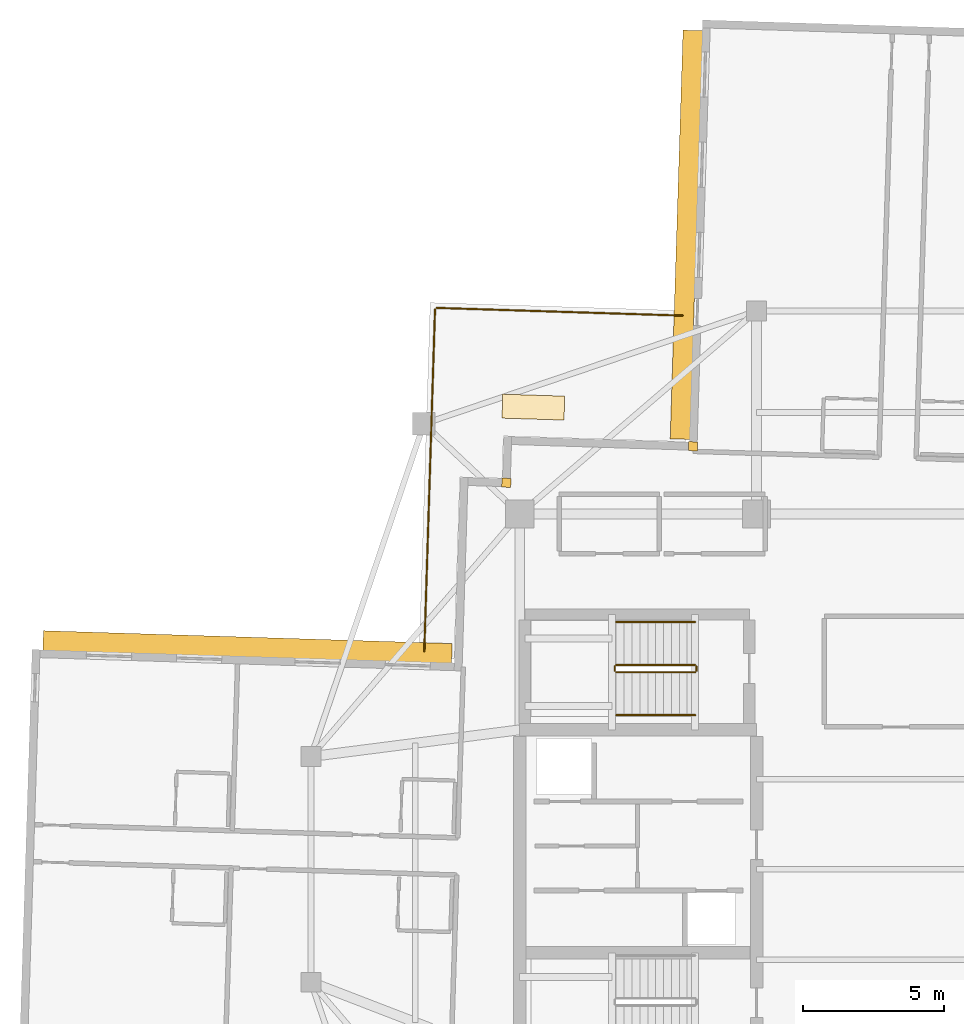
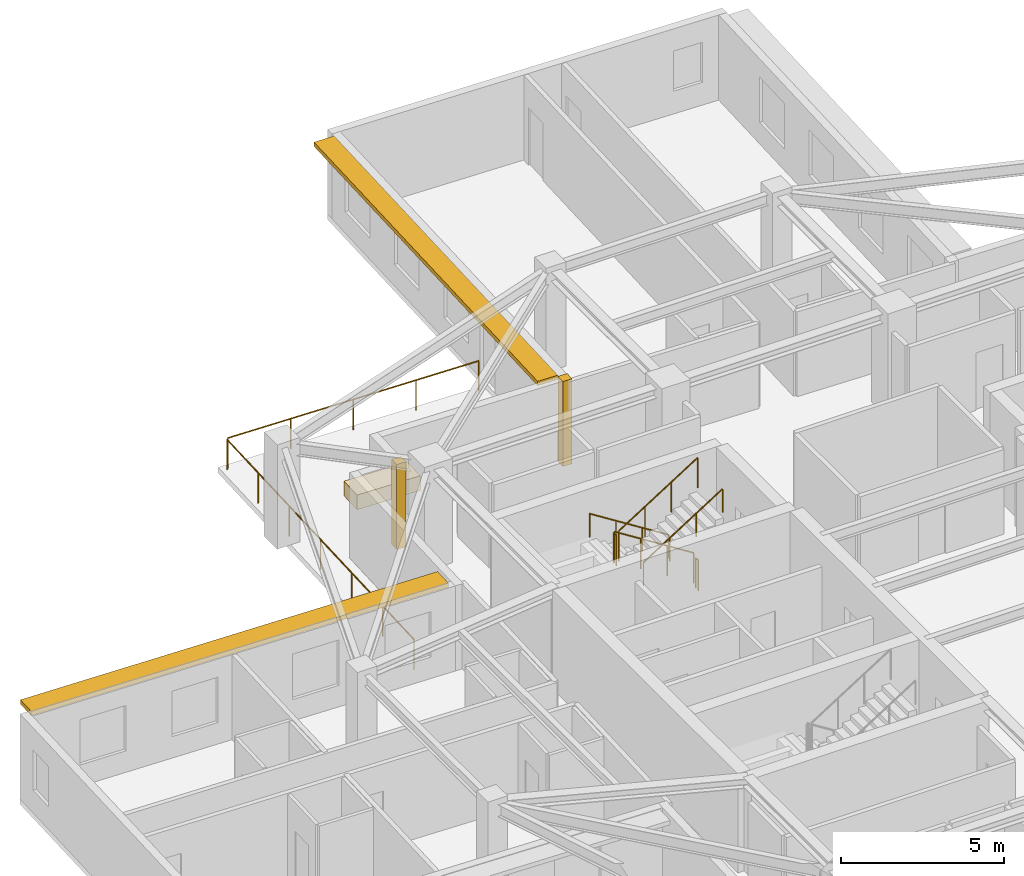
# One storey, part 12 of 13: 8 railings, 3 coverings, 2 shading devices.
"""IFC4 building model written with IfcOpenShell, lengths in metres."""

import ifcopenshell
import ifcopenshell.guid

model = None  # the IFC model being written
_history = None  # IfcOwnerHistory: only IFC2X3 demands one
_inside = {}  # id of a spatial element -> (the spatial element, [elements in it])
_under = {}  # id of a project, library or spatial element -> (it, [spatial elements below it])
_declared = {}  # id of a project -> (the project, [libraries it declares])
_typed = {}  # id of a type object -> (the type object, [elements of that type])
_made_of = {}  # id of a material, layer set ... -> (it, [elements and type objects made of it])


def new_model(schema):
    """Start an empty IFC model of exactly this schema.

    Asked for "IFC4X3", IfcOpenShell would pick the latest addendum, in which some entities
    have other attributes; the version numbers below select the first issue.
    IFC2X3 requires an IfcOwnerHistory on every rooted entity: one is made here for all.
    """
    global model, _history
    if schema == "IFC4X3":
        model = ifcopenshell.file(schema_version=(4, 3, 0, 0))
    else:
        model = ifcopenshell.file(schema=schema)
    _inside.clear()
    _under.clear()
    _declared.clear()
    _typed.clear()
    _made_of.clear()
    _history = None
    if model.schema == "IFC2X3":
        org = make("IfcOrganization", Name="unknown")
        user = make(
            "IfcPersonAndOrganization",
            ThePerson=make("IfcPerson", FamilyName="unknown"),
            TheOrganization=org,
        )
        app = make(
            "IfcApplication",
            ApplicationDeveloper=org,
            Version="unknown",
            ApplicationFullName="unknown",
            ApplicationIdentifier="unknown",
        )
        _history = make(
            "IfcOwnerHistory",
            OwningUser=user,
            OwningApplication=app,
            ChangeAction="ADDED",
            CreationDate=0,
        )
    return model


def make(cls, **values):
    """One entity of the class cls with the attributes given. An attribute that is None is left unset."""
    return model.create_entity(
        cls, **{name: value for name, value in values.items() if value is not None}
    )


def rooted(cls, **values):
    """An entity with a GlobalId (a new one), such as an element, a storey or a relation."""
    return make(cls, GlobalId=ifcopenshell.guid.new(), OwnerHistory=_history, **values)


def si_unit(unit_type, name, prefix=None):
    """IfcSIUnit, for example si_unit("LENGTHUNIT", "METRE", prefix="MILLI")."""
    return make("IfcSIUnit", UnitType=unit_type, Prefix=prefix, Name=name)


def assignment(units):
    """IfcUnitAssignment: the units of a project."""
    return None if units is None else make("IfcUnitAssignment", Units=units)


def point(xyz):
    """IfcCartesianPoint."""
    return None if xyz is None else make("IfcCartesianPoint", Coordinates=xyz)


def direction(xyz):
    """IfcDirection."""
    return None if xyz is None else make("IfcDirection", DirectionRatios=xyz)


def frame(location, z_axis=None, x_axis=None):
    """IfcAxis2Placement3D, a coordinate frame: its origin and axes. An axis left out is left unset."""
    return make(
        "IfcAxis2Placement3D",
        Location=point(location),
        Axis=direction(z_axis),
        RefDirection=direction(x_axis),
    )


def frame_2d(location, x_axis=None):
    """IfcAxis2Placement2D, a coordinate frame in the plane: its origin and x axis."""
    return make(
        "IfcAxis2Placement2D", Location=point(location), RefDirection=direction(x_axis)
    )


def origin():
    """The frame at (0, 0, 0) with its axes left unset."""
    return frame((0.0, 0.0, 0.0))


def origin_2d():
    """The frame at (0, 0) in the plane with its x axis left unset."""
    return frame_2d((0.0, 0.0))


def place(relative_to, where):
    """IfcLocalPlacement: puts the frame where relative to a parent placement (None: the world)."""
    return make(
        "IfcLocalPlacement", PlacementRelTo=relative_to, RelativePlacement=where
    )


def context(
    kind, dimensions, precision=None, world=None, true_north=None, identifier=None
):
    """IfcGeometricRepresentationContext, for example the 3D "Model" context."""
    return make(
        "IfcGeometricRepresentationContext",
        ContextIdentifier=identifier,
        ContextType=kind,
        CoordinateSpaceDimension=dimensions,
        Precision=precision,
        WorldCoordinateSystem=world,
        TrueNorth=true_north,
    )


def subcontext(parent, identifier, kind, view, scale=None):
    """IfcGeometricRepresentationSubContext, for example "Body" below "Model"."""
    return make(
        "IfcGeometricRepresentationSubContext",
        ContextIdentifier=identifier,
        ContextType=kind,
        ParentContext=parent,
        TargetScale=scale,
        TargetView=view,
    )


def project(units=None, contexts=None):
    """IfcProject with its units and contexts."""
    return rooted(
        "IfcProject",
        Name="project",
        RepresentationContexts=contexts,
        UnitsInContext=assignment(units),
    )


def spatial(cls, under=None, at=None, **own):
    """A site, building, storey or space (cls), placed at a placement, below another one or the project."""
    s = rooted(cls, ObjectPlacement=at, **own)
    if under is not None:
        _under.setdefault(under.id(), (under, []))[1].append(s)
    return s


def profile(cls, at=None, kind="AREA", **sizes):
    """A parametric profile (cls). Its sizes go by their IFC names, for example OverallWidth=200.0."""
    return make(cls, ProfileType=kind, Position=at, **sizes)


def rectangle(**sizes):
    """IfcRectangleProfileDef."""
    return profile("IfcRectangleProfileDef", **sizes)


def circle(**sizes):
    """IfcCircleProfileDef."""
    return profile("IfcCircleProfileDef", **sizes)


def extrude(swept, where, along, depth):
    """IfcExtrudedAreaSolid: the profile swept, set in the frame where, extruded along a direction by depth."""
    return make(
        "IfcExtrudedAreaSolid",
        SweptArea=swept,
        Position=where,
        ExtrudedDirection=direction(along),
        Depth=depth,
    )


def shape(context_of_items, identifier, shape_type, items):
    """IfcShapeRepresentation: the items that make up one representation, for example the "Body"."""
    return make(
        "IfcShapeRepresentation",
        ContextOfItems=context_of_items,
        RepresentationIdentifier=identifier,
        RepresentationType=shape_type,
        Items=items,
    )


def material(Name=None, Category=None):
    """IfcMaterial."""
    return make("IfcMaterial", Name=Name, Category=Category)


def layer(
    of_material, thickness, ventilated=None, Name=None, Category=None, Priority=None
):
    """IfcMaterialLayer: one layer of a wall or slab, of a material (None: an air gap)."""
    return make(
        "IfcMaterialLayer",
        Material=of_material,
        LayerThickness=thickness,
        IsVentilated=ventilated,
        Name=Name,
        Category=Category,
        Priority=Priority,
    )


def layer_set(layers, Name=None):
    """IfcMaterialLayerSet."""
    return make("IfcMaterialLayerSet", MaterialLayers=layers, LayerSetName=Name)


def made_of(thing, what):
    """Note that an element or type object is made of a material, layer set ...; save() writes the relation."""
    if what is not None:
        _made_of.setdefault(what.id(), (what, []))[1].append(thing)
    return thing


def type_object(cls, material=None, **own):
    """A type object (cls), such as IfcWallType, which elements share."""
    return made_of(rooted(cls, **own), material)


def element(
    cls,
    number,
    at=None,
    inside=None,
    cuts=None,
    type_object=None,
    material=None,
    context=None,
    identifier="Body",
    shape_type=None,
    held_by="IfcProductDefinitionShape",
    body=None,
    shapes=None,
    **own,
):
    """One element of the class cls, such as IfcWall. Its Tag is "e" and its number.

    at: its placement. inside: the storey or other place that contains it. cuts: it is an
    opening in that element (IfcRelVoidsElement). A single representation is given by context,
    identifier, shape_type and body (its items); several are given by shapes. held_by: the class
    of the entity that holds the representations. save() writes the other relations.
    """
    e = rooted(cls, Tag="e%d" % number, ObjectPlacement=at, **own)
    if body is not None:
        shapes = [shape(context, identifier, shape_type, body)]
    if shapes is not None:
        e.Representation = make(held_by, Representations=shapes)
    if inside is not None:
        _inside.setdefault(inside.id(), (inside, []))[1].append(e)
    if cuts is not None:
        rooted(
            "IfcRelVoidsElement", RelatingBuildingElement=cuts, RelatedOpeningElement=e
        )
    if type_object is not None:
        _typed.setdefault(type_object.id(), (type_object, []))[1].append(e)
    return made_of(e, material)


def aggregate(whole, parts):
    """IfcRelAggregates: a whole, such as a stair, and the parts it consists of."""
    return rooted("IfcRelAggregates", RelatingObject=whole, RelatedObjects=parts)


def save(model, path):
    """Write the relations noted so far, then the file.

    IfcRelAggregates (storeys below a building ...), IfcRelContainedInSpatialStructure (elements
    in a storey), IfcRelDefinesByType, IfcRelAssociatesMaterial and IfcRelDeclares: one each for
    every whole, place, type object, material and project.
    """
    for whole, parts in _under.values():
        aggregate(whole, parts)
    for where, things in _inside.values():
        rooted(
            "IfcRelContainedInSpatialStructure",
            RelatedElements=things,
            RelatingStructure=where,
        )
    for kind, things in _typed.values():
        rooted("IfcRelDefinesByType", RelatedObjects=things, RelatingType=kind)
    for what, things in _made_of.values():
        rooted("IfcRelAssociatesMaterial", RelatedObjects=things, RelatingMaterial=what)
    for by, libraries in _declared.values():
        rooted("IfcRelDeclares", RelatingContext=by, RelatedDefinitions=libraries)
    model.write(path)


model = new_model("IFC4")

# Units and contexts
model_context = context("Model", 3, precision=1e-05, world=origin(), true_north=direction((0.0, 1.0)))
body_context = subcontext(model_context, "Body", "Model", "MODEL_VIEW")
ifc_project = project(units=[si_unit("LENGTHUNIT", "METRE"), si_unit("AREAUNIT", "SQUARE_METRE"), si_unit("VOLUMEUNIT", "CUBIC_METRE"), si_unit("PLANEANGLEUNIT", "RADIAN"), si_unit("MASSUNIT", "GRAM", prefix="KILO")], contexts=[model_context])

# Site, building, storey
site_placement = place(None, origin())
site = spatial("IfcSite", under=ifc_project, at=site_placement, CompositionType="ELEMENT")
building_placement = place(site_placement, origin())
building = spatial("IfcBuilding", under=site, at=building_placement, Name="Qingluan Cross Belvedere", CompositionType="ELEMENT")
storey_placement = place(building_placement, frame((0.0, 0.0, 257.699951171875)))
storey = spatial("IfcBuildingStorey", under=building, at=storey_placement, Name="L64", CompositionType="ELEMENT", Elevation=257.699951171875)

# Coverings
ifc_material_1 = material(Name="Precast concrete C45", Category="concrete")
ifc_layer_1 = layer(ifc_material_1, 0.1201171875, Name="ConcreteSpandrelCladding_120")
ifc_layer_set_1 = layer_set([ifc_layer_1], Name="Precast concrete C45")
covering_type_1 = type_object("IfcCoveringType", Name="ConcreteSpandrelCladding_120", PredefinedType="CLADDING", material=ifc_layer_set_1)
for number, where, z_axis, x_axis, name in (
    (1, (-12.875732421875, 13.711181640625, 0.0), (0.0, 0.0, 1.0), (0.999506560366, -0.031410759078, 0.0), "Corner closure L64-NW1"),
    (2, (-6.251708984375, 15.00390625, 0.0), (0.0, 0.0, 1.0), (0.999506560366, -0.031410759078, 0.0), "Corner closure L64-NW2"),
):
    element("IfcCovering", number, at=place(storey_placement, frame(where, z_axis=z_axis, x_axis=x_axis)), inside=storey, type_object=covering_type_1, Name=name, PredefinedType="CLADDING", context=body_context, shape_type="SweptSolid", body=[
        extrude(rectangle(XDim=0.320068359375, YDim=0.320068359375, at=origin_2d()), origin(), (0.0, 0.0, 1.0), 3.179931640625),
    ])

# Shading devices
ifc_material_2 = material(Name="Precast concrete C45", Category="concrete")
ifc_layer_2 = layer(ifc_material_2, 0.139892578125, Name="ConcreteSunshadeBand_700")
ifc_layer_set_2 = layer_set([ifc_layer_2], Name="Precast concrete C45")
shading_device_type = type_object("IfcShadingDeviceType", Name="ConcreteSunshadeBand_700", PredefinedType="USERDEFINED", material=ifc_layer_set_2)
for number, where, z_axis, x_axis, name in (
    (3, (-6.486328125, 22.5048828125, 3.0), (0.0, 0.0, 1.0), (-0.031408051437, -0.999506645453, 0.0), "Concrete SUNSHADE L64-NB"),
    (4, (-22.052978515625, 7.88671875, 3.0), (0.0, 0.0, 1.0), (-0.999506645453, 0.031408051437, 0.0), "Concrete SUNSHADE L64-WA"),
):
    element("IfcShadingDevice", number, at=place(storey_placement, frame(where, z_axis=z_axis, x_axis=x_axis)), inside=storey, type_object=shading_device_type, Name=name, ObjectType="SUNSHADE", PredefinedType="USERDEFINED", context=body_context, shape_type="SweptSolid", body=[
        extrude(rectangle(XDim=14.5, YDim=0.699951171875, at=origin_2d()), origin(), (0.0, 0.0, 1.0), 0.159912109375),
    ])

# Railings
ifc_material_3 = material(Name="Brushed stainless steel tubular handrail", Category="steel")
railing_type_1 = type_object("IfcRailingType", Name="StairPitchHandrail_900", PredefinedType="HANDRAIL", material=ifc_material_3)
railing_1_placement = place(storey_placement, frame((-6.179931640625, 8.77001953125, 0.17724609375)))
element("IfcRailing", 5, at=railing_1_placement, inside=storey, type_object=railing_type_1, Name="L64 ST3 stair handrail 1", PredefinedType="HANDRAIL", context=body_context, shape_type="SweptSolid", body=[
    extrude(circle(Radius=0.02392578125, at=origin_2d()), frame((0.0, 0.0, 0.8759765625), z_axis=(-0.844908973607, 0.0, 0.534910110503), x_axis=(0.0, -1.0, 0.0)), (0.0, 0.0, 1.0), 3.31396484375),
    extrude(circle(Radius=0.02099609375, at=origin_2d()), origin(), (0.0, 0.0, 1.0), 0.851806640625),
    extrude(circle(Radius=0.02099609375, at=origin_2d()), frame((-0.933349609375, 0.0, 0.5908203125)), (0.0, 0.0, 1.0), 0.851806640625),
    extrude(circle(Radius=0.02099609375, at=origin_2d()), frame((-1.86669921875, 0.0, 1.181884765625)), (0.0, 0.0, 1.0), 0.851806640625),
    extrude(circle(Radius=0.02099609375, at=origin_2d()), frame((-2.800048828125, 0.0, 1.772705078125)), (0.0, 0.0, 1.0), 0.851806640625),
])
railing_2_placement = place(storey_placement, frame((-8.97998046875, 5.469970703125, 2.12744140625)))
element("IfcRailing", 6, at=railing_2_placement, inside=storey, type_object=railing_type_1, Name="L64 ST3 stair handrail 2", PredefinedType="HANDRAIL", context=body_context, shape_type="SweptSolid", body=[
    extrude(circle(Radius=0.02392578125, at=origin_2d()), frame((0.0, 0.0, 0.8759765625), z_axis=(0.844908973607, 0.0, 0.534910110503), x_axis=(0.0, 1.0, 0.0)), (0.0, 0.0, 1.0), 3.31396484375),
    extrude(circle(Radius=0.02099609375, at=origin_2d()), origin(), (0.0, 0.0, 1.0), 0.851806640625),
    extrude(circle(Radius=0.02099609375, at=origin_2d()), frame((0.933349609375, 0.0, 0.5908203125)), (0.0, 0.0, 1.0), 0.851806640625),
    extrude(circle(Radius=0.02099609375, at=origin_2d()), frame((1.86669921875, 0.0, 1.181884765625)), (0.0, 0.0, 1.0), 0.851806640625),
    extrude(circle(Radius=0.02099609375, at=origin_2d()), frame((2.800048828125, 0.0, 1.772705078125)), (0.0, 0.0, 1.0), 0.851806640625),
])
ifc_material_4 = material(Name="Painted steel stair well guard", Category="steel")
railing_type_2 = type_object("IfcRailingType", Name="StairWellGuard_1150", PredefinedType="BALUSTRADE", material=ifc_material_4)
railing_3_placement = place(storey_placement, frame((-6.179931640625, 7.25, 0.17724609375)))
element("IfcRailing", 7, at=railing_3_placement, inside=storey, type_object=railing_type_2, Name="L64 ST3 stair guard 1", PredefinedType="BALUSTRADE", context=body_context, shape_type="SweptSolid", body=[
    extrude(circle(Radius=0.02392578125, at=origin_2d()), frame((0.0, 0.0, 1.1259765625), z_axis=(-0.844908973607, 0.0, 0.534910110503), x_axis=(0.0, -1.0, 0.0)), (0.0, 0.0, 1.0), 3.31396484375),
    extrude(circle(Radius=0.02099609375, at=origin_2d()), origin(), (0.0, 0.0, 1.0), 1.101806640625),
    extrude(circle(Radius=0.02099609375, at=origin_2d()), frame((-0.933349609375, 0.0, 0.5908203125)), (0.0, 0.0, 1.0), 1.101806640625),
    extrude(circle(Radius=0.02099609375, at=origin_2d()), frame((-1.86669921875, 0.0, 1.181884765625)), (0.0, 0.0, 1.0), 1.101806640625),
    extrude(circle(Radius=0.02099609375, at=origin_2d()), frame((-2.800048828125, 0.0, 1.772705078125)), (0.0, 0.0, 1.0), 1.101806640625),
])
railing_4_placement = place(storey_placement, frame((-9.030029296875, 7.199951171875, 1.949951171875)))
element("IfcRailing", 8, at=railing_4_placement, inside=storey, type_object=railing_type_2, Name="L64 ST3 stair guard 2", PredefinedType="BALUSTRADE", context=body_context, shape_type="SweptSolid", body=[
    extrude(circle(Radius=0.02392578125, at=origin_2d()), frame((0.0, 0.0, 1.1259765625), z_axis=(0.0, -1.0, 0.0), x_axis=(1.0, 0.0, 0.0)), (0.0, 0.0, 1.0), 0.159912109375),
    extrude(circle(Radius=0.02099609375, at=origin_2d()), origin(), (0.0, 0.0, 1.0), 1.101806640625),
    extrude(circle(Radius=0.02099609375, at=origin_2d()), frame((0.0, -0.159912109375, 0.0)), (0.0, 0.0, 1.0), 1.101806640625),
])
railing_5_placement = place(storey_placement, frame((-8.97998046875, 6.989990234375, 2.12744140625)))
element("IfcRailing", 9, at=railing_5_placement, inside=storey, type_object=railing_type_2, Name="L64 ST3 stair guard 3", PredefinedType="BALUSTRADE", context=body_context, shape_type="SweptSolid", body=[
    extrude(circle(Radius=0.02392578125, at=origin_2d()), frame((0.0, 0.0, 1.1259765625), z_axis=(0.844908973607, 0.0, 0.534910110503), x_axis=(0.0, 1.0, 0.0)), (0.0, 0.0, 1.0), 3.31396484375),
    extrude(circle(Radius=0.02099609375, at=origin_2d()), origin(), (0.0, 0.0, 1.0), 1.101806640625),
    extrude(circle(Radius=0.02099609375, at=origin_2d()), frame((0.933349609375, 0.0, 0.5908203125)), (0.0, 0.0, 1.0), 1.101806640625),
    extrude(circle(Radius=0.02099609375, at=origin_2d()), frame((1.86669921875, 0.0, 1.181884765625)), (0.0, 0.0, 1.0), 1.101806640625),
    extrude(circle(Radius=0.02099609375, at=origin_2d()), frame((2.800048828125, 0.0, 1.772705078125)), (0.0, 0.0, 1.0), 1.101806640625),
])
railing_6_placement = place(storey_placement, frame((-6.1298828125, 7.199951171875, 0.0)))
element("IfcRailing", 10, at=railing_6_placement, inside=storey, type_object=railing_type_2, Name="L64 ST3 stair guard 4", PredefinedType="BALUSTRADE", context=body_context, shape_type="SweptSolid", body=[
    extrude(circle(Radius=0.02392578125, at=origin_2d()), frame((0.0, 0.0, 1.1259765625), z_axis=(0.0, -1.0, 0.0), x_axis=(1.0, 0.0, 0.0)), (0.0, 0.0, 1.0), 0.159912109375),
    extrude(circle(Radius=0.02099609375, at=origin_2d()), origin(), (0.0, 0.0, 1.0), 1.101806640625),
    extrude(circle(Radius=0.02099609375, at=origin_2d()), frame((0.0, -0.159912109375, 0.0)), (0.0, 0.0, 1.0), 1.101806640625),
])
ifc_material_5 = material(Name="Laminated glass and stainless steel balustrade", Category="steel")
railing_type_3 = type_object("IfcRailingType", Name="TerraceGuardBalustrade_1150", PredefinedType="BALUSTRADE", material=ifc_material_5)
railing_7_placement = place(storey_placement, frame((-15.78466796875, 7.739501953125, 0.0)))
element("IfcRailing", 11, at=railing_7_placement, inside=storey, type_object=railing_type_3, Name="Terrace guard L64-1", PredefinedType="BALUSTRADE", context=body_context, shape_type="SweptSolid", body=[
    extrude(circle(Radius=0.02392578125, at=origin_2d()), frame((0.0, 0.0, 1.1259765625), z_axis=(0.031403286853, 0.999506795162, 0.0), x_axis=(-0.999506795162, 0.031403286853, 0.0)), (0.0, 0.0, 1.0), 12.1201171875),
    extrude(circle(Radius=0.02099609375, at=origin_2d()), origin(), (0.0, 0.0, 1.0), 1.101806640625),
    extrude(circle(Radius=0.02099609375, at=origin_2d()), frame((0.0634765625, 2.01904296875, 0.0)), (0.0, 0.0, 1.0), 1.101806640625),
    extrude(circle(Radius=0.02099609375, at=origin_2d()), frame((0.126953125, 4.0380859375, 0.0)), (0.0, 0.0, 1.0), 1.101806640625),
    extrude(circle(Radius=0.02099609375, at=origin_2d()), frame((0.1904296875, 6.05712890625, 0.0)), (0.0, 0.0, 1.0), 1.101806640625),
    extrude(circle(Radius=0.02099609375, at=origin_2d()), frame((0.253662109375, 8.076171875, 0.0)), (0.0, 0.0, 1.0), 1.101806640625),
    extrude(circle(Radius=0.02099609375, at=origin_2d()), frame((0.317138671875, 10.09521484375, 0.0)), (0.0, 0.0, 1.0), 1.101806640625),
    extrude(circle(Radius=0.02099609375, at=origin_2d()), frame((0.380615234375, 12.1142578125, 0.0)), (0.0, 0.0, 1.0), 1.101806640625),
])
railing_8_placement = place(storey_placement, frame((-15.34228515625, 19.91162109375, 0.0)))
element("IfcRailing", 12, at=railing_8_placement, inside=storey, type_object=railing_type_3, Name="Terrace guard L64-2", PredefinedType="BALUSTRADE", context=body_context, shape_type="SweptSolid", body=[
    extrude(circle(Radius=0.02392578125, at=origin_2d()), frame((0.0, 0.0, 1.1259765625), z_axis=(0.999506488021, -0.031413061052, 0.0), x_axis=(0.031413061052, 0.999506488021, 0.0)), (0.0, 0.0, 1.0), 8.72021484375),
    extrude(circle(Radius=0.02099609375, at=origin_2d()), origin(), (0.0, 0.0, 1.0), 1.101806640625),
    extrude(circle(Radius=0.02099609375, at=origin_2d()), frame((2.178955078125, -0.068359375, 0.0)), (0.0, 0.0, 1.0), 1.101806640625),
    extrude(circle(Radius=0.02099609375, at=origin_2d()), frame((4.35791015625, -0.136962890625, 0.0)), (0.0, 0.0, 1.0), 1.101806640625),
    extrude(circle(Radius=0.02099609375, at=origin_2d()), frame((6.536865234375, -0.20556640625, 0.0)), (0.0, 0.0, 1.0), 1.101806640625),
    extrude(circle(Radius=0.02099609375, at=origin_2d()), frame((8.7158203125, -0.27392578125, 0.0)), (0.0, 0.0, 1.0), 1.101806640625),
])

# Covering
ifc_material_6 = material(Name="Precast concrete C40", Category="concrete")
ifc_layer_3 = layer(ifc_material_6, 0.550048828125, Name="TerracePlanterBox")
ifc_layer_set_3 = layer_set([ifc_layer_3], Name="Precast concrete C40")
covering_type_2 = type_object("IfcCoveringType", Name="TerracePlanterBox", PredefinedType="USERDEFINED", material=ifc_layer_set_3)
covering_placement = place(storey_placement, frame((-11.916015625, 16.39208984375, 0.0), z_axis=(0.0, 0.0, 1.0), x_axis=(0.999506560366, -0.031410759078, 0.0)))
element("IfcCovering", 13, at=covering_placement, inside=storey, type_object=covering_type_2, Name="Spiralling winter-garden planter L64", ObjectType="PLANTER", PredefinedType="USERDEFINED", context=body_context, shape_type="SweptSolid", body=[
    extrude(rectangle(XDim=2.199951171875, YDim=0.85009765625, at=origin_2d()), origin(), (0.0, 0.0, 1.0), 0.550048828125),
])

save(model, "model.ifc")
